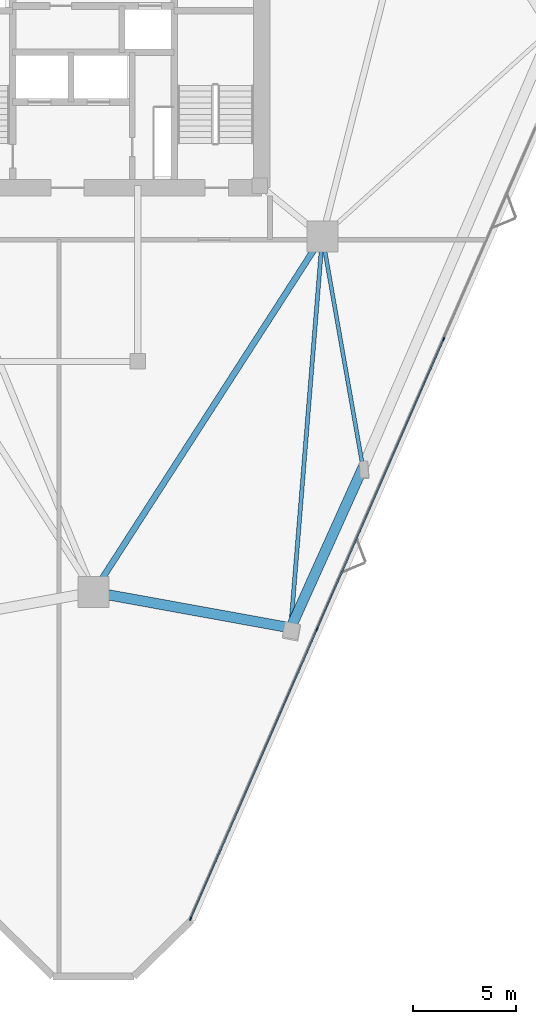
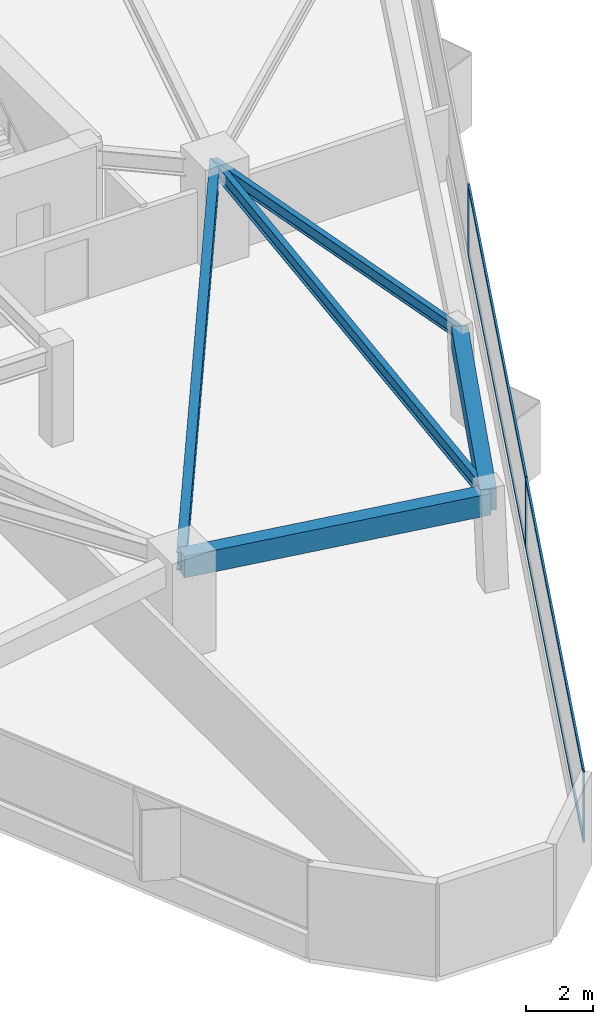
# One storey, part 3 of 15: 7 members, 5 beams, 1 element without a shape of its own.
"""IFC4 building model written with IfcOpenShell, lengths in metres."""

from ifc_helpers import new_model, si_unit, direction, frame, origin, origin_2d, place, context, subcontext, project, spatial, rectangle, i_section, extrude, material, layer, layer_set, material_profile, profile_set, type_object, element, aggregate, save


model = new_model("IFC4")

# Units and contexts
model_context = context("Model", 3, precision=1e-05, world=origin(), true_north=direction((0.0, 1.0)))
body_context = subcontext(model_context, "Body", "Model", "MODEL_VIEW")
ifc_project = project(units=[si_unit("LENGTHUNIT", "METRE"), si_unit("AREAUNIT", "SQUARE_METRE"), si_unit("VOLUMEUNIT", "CUBIC_METRE"), si_unit("PLANEANGLEUNIT", "RADIAN"), si_unit("MASSUNIT", "GRAM", prefix="KILO")], contexts=[model_context])

# Site, building, storey
site_placement = place(None, origin())
site = spatial("IfcSite", under=ifc_project, at=site_placement, CompositionType="ELEMENT")
building_placement = place(site_placement, origin())
building = spatial("IfcBuilding", under=site, at=building_placement, Name="Talyreon Biosciences Tower", CompositionType="ELEMENT")
storey_placement = place(building_placement, frame((0.0, 0.0, 127.199951171875)))
storey = spatial("IfcBuildingStorey", under=building, at=storey_placement, Name="L33", CompositionType="ELEMENT", Elevation=127.199951171875)

# Curtain wall, members
ifc_material_1 = material(Name="Thermally broken aluminium and low-E glazing", Category="aluminium")
ifc_layer = layer(ifc_material_1, 0.18505859375)
ifc_layer_set = layer_set([ifc_layer], Name="Thermally broken aluminium and low-E glazing")
curtain_wall_type = type_object("IfcCurtainWallType", Name="CurtainWall_Zone3Bioprocess", PredefinedType="NOTDEFINED", material=ifc_layer_set)
curtain_wall_placement = place(storey_placement, origin())
curtain_wall = element("IfcCurtainWall", 1, at=curtain_wall_placement, inside=storey, type_object=curtain_wall_type, Name="L33 Unitised Curtain Wall FCW-L33-08", PredefinedType="NOTDEFINED")
ifc_material_2 = material(Name="Anodised thermally broken aluminium", Category="aluminium")
ifc_material_profile_1 = material_profile(ifc_material_2, rectangle(XDim=0.06494140625, YDim=0.179931640625, at=origin_2d()), Name="ALUM MULLION 65x180")
ifc_profile_set_1 = profile_set([ifc_material_profile_1], Name="Anodised thermally broken aluminium")
member_type_1 = type_object("IfcMemberType", Name="CWMullion_65x180", PredefinedType="MULLION", material=ifc_profile_set_1)
member_1_placement = place(storey_placement, frame((82.953857421875, 53.914794921875, 0.81005859375), z_axis=(0.0, 0.0, 1.0), x_axis=(0.916489607057, -0.400058495919, 0.0)))
member_1 = element("IfcMember", 2, at=member_1_placement, type_object=member_type_1, Name="CW4 mullion 3", PredefinedType="MULLION", context=body_context, shape_type="SweptSolid", body=[
    extrude(rectangle(XDim=0.06494140625, YDim=0.179931640625, at=origin_2d()), origin(), (0.0, 0.0, 1.0), 2.56494140625),
])
member_2_placement = place(storey_placement, frame((76.8232421875, 39.869873046875, 0.81005859375), z_axis=(0.0, 0.0, 1.0), x_axis=(0.916489607057, -0.400058495919, 0.0)))
member_2 = element("IfcMember", 3, at=member_2_placement, type_object=member_type_1, Name="CW4 mullion 4", PredefinedType="MULLION", context=body_context, shape_type="SweptSolid", body=[
    extrude(rectangle(XDim=0.06494140625, YDim=0.179931640625, at=origin_2d()), origin(), (0.0, 0.0, 1.0), 2.56494140625),
])
member_3_placement = place(storey_placement, frame((70.705322265625, 25.854736328125, 0.81005859375), z_axis=(0.0, 0.0, 1.0), x_axis=(0.916489607057, -0.400058495919, 0.0)))
member_3 = element("IfcMember", 4, at=member_3_placement, type_object=member_type_1, Name="CW4 mullion 5", PredefinedType="MULLION", context=body_context, shape_type="SweptSolid", body=[
    extrude(rectangle(XDim=0.06494140625, YDim=0.179931640625, at=origin_2d()), origin(), (0.0, 0.0, 1.0), 2.56494140625),
])
ifc_material_profile_2 = material_profile(ifc_material_2, rectangle(XDim=0.06494140625, YDim=0.139892578125, at=origin_2d()), Name="ALUM TRANSOM 65x140")
ifc_profile_set_2 = profile_set([ifc_material_profile_2], Name="Anodised thermally broken aluminium")
member_type_2 = type_object("IfcMemberType", Name="CWTransom_65x140", PredefinedType="USERDEFINED", material=ifc_profile_set_2)
member_4_placement = place(storey_placement, frame((82.94091796875, 53.885009765625, 0.842529296875), z_axis=(-0.400056615307, -0.916490427964, 0.0), x_axis=(0.916490427964, -0.400056615307, 0.0)))
member_4 = element("IfcMember", 5, at=member_4_placement, type_object=member_type_2, Name="CW4 transom 3.1", ObjectType="TRANSOM", PredefinedType="USERDEFINED", context=body_context, shape_type="SweptSolid", body=[
    extrude(rectangle(XDim=0.06494140625, YDim=0.139892578125, at=origin_2d()), origin(), (0.0, 0.0, 1.0), 15.259765625),
])
member_5_placement = place(storey_placement, frame((82.94091796875, 53.885009765625, 3.342529296875), z_axis=(-0.400056615307, -0.916490427964, 0.0), x_axis=(0.916490427964, -0.400056615307, 0.0)))
member_5 = element("IfcMember", 6, at=member_5_placement, type_object=member_type_2, Name="CW4 transom 3.2", ObjectType="TRANSOM", PredefinedType="USERDEFINED", context=body_context, shape_type="SweptSolid", body=[
    extrude(rectangle(XDim=0.06494140625, YDim=0.139892578125, at=origin_2d()), origin(), (0.0, 0.0, 1.0), 15.259765625),
])
member_6_placement = place(storey_placement, frame((76.81005859375, 39.840087890625, 0.842529296875), z_axis=(-0.400046570574, -0.916494812518, 0.0), x_axis=(0.916494812518, -0.400046570574, 0.0)))
member_6 = element("IfcMember", 7, at=member_6_placement, type_object=member_type_2, Name="CW4 transom 4.1", ObjectType="TRANSOM", PredefinedType="USERDEFINED", context=body_context, shape_type="SweptSolid", body=[
    extrude(rectangle(XDim=0.06494140625, YDim=0.139892578125, at=origin_2d()), origin(), (0.0, 0.0, 1.0), 15.22705078125),
])
member_7_placement = place(storey_placement, frame((76.81005859375, 39.840087890625, 3.342529296875), z_axis=(-0.400046570574, -0.916494812518, 0.0), x_axis=(0.916494812518, -0.400046570574, 0.0)))
member_7 = element("IfcMember", 8, at=member_7_placement, type_object=member_type_2, Name="CW4 transom 4.2", ObjectType="TRANSOM", PredefinedType="USERDEFINED", context=body_context, shape_type="SweptSolid", body=[
    extrude(rectangle(XDim=0.06494140625, YDim=0.139892578125, at=origin_2d()), origin(), (0.0, 0.0, 1.0), 15.22705078125),
])
aggregate(curtain_wall, [member_1, member_2, member_3, member_4, member_5, member_6, member_7])

# Beams
ifc_material_3 = material(Name="Precast concrete C45/55", Category="concrete")
ifc_material_profile_3 = material_profile(ifc_material_3, rectangle(XDim=0.5, YDim=0.780029296875, at=origin_2d()), Name="RCB 500x780")
ifc_profile_set_3 = profile_set([ifc_material_profile_3], Name="Precast concrete C45/55")
beam_type_1 = type_object("IfcBeamType", Name="ExpressedSpandrel_500x780", PredefinedType="SPANDREL", material=ifc_profile_set_3)
beam_1_placement = place(storey_placement, frame((66.0, 41.6669921875, 2.985107421875), z_axis=(0.983957509541, -0.178402969194, 0.0), x_axis=(0.178402969194, 0.983957509541, 0.0)))
element("IfcBeam", 9, at=beam_1_placement, inside=storey, type_object=beam_type_1, Name="L33 Expressed Horizontal Concrete Spandrel 01", PredefinedType="SPANDREL", context=body_context, shape_type="SweptSolid", body=[
    extrude(rectangle(XDim=0.5, YDim=0.780029296875, at=origin_2d()), origin(), (0.0, 0.0, 1.0), 9.7080078125),
])
beam_2_placement = place(storey_placement, frame((75.55224609375, 39.93505859375, 2.985107421875), z_axis=(0.410734098338, 0.911755175725, 0.0), x_axis=(-0.911755175725, 0.410734098338, 0.0)))
element("IfcBeam", 10, at=beam_2_placement, inside=storey, type_object=beam_type_1, Name="L33 Expressed Horizontal Concrete Spandrel 02", PredefinedType="SPANDREL", context=body_context, shape_type="SweptSolid", body=[
    extrude(rectangle(XDim=0.5, YDim=0.780029296875, at=origin_2d()), origin(), (0.0, 0.0, 1.0), 8.517822265625),
])
ifc_material_4 = material(Name="Steel SM355", Category="steel")
ifc_material_profile_4 = material_profile(ifc_material_4, i_section(OverallWidth=0.300048828125, OverallDepth=0.64990234375, WebThickness=0.01611328125, FlangeThickness=0.031005859375, FilletRadius=0.027099609375, at=origin_2d()), Name="HE650B")
ifc_profile_set_4 = profile_set([ifc_material_profile_4], Name="Steel SM355")
beam_type_2 = type_object("IfcBeamType", Name="SteelBeam_HE650B", PredefinedType="BEAM", material=ifc_profile_set_4)
beam_3_placement = place(storey_placement, frame((66.0, 41.6669921875, 3.050048828125), z_axis=(0.541463723609, 0.840724114092, 0.0), x_axis=(-0.840724114092, 0.541463723609, 0.0)))
element("IfcBeam", 11, at=beam_3_placement, inside=storey, type_object=beam_type_2, Name="L33 Mega-Ring Girder 1", PredefinedType="BEAM", context=body_context, shape_type="SweptSolid", body=[
    extrude(i_section(OverallWidth=0.300048828125, OverallDepth=0.64990234375, WebThickness=0.01611328125, FlangeThickness=0.031005859375, FilletRadius=0.027099609375, at=origin_2d()), origin(), (0.0, 0.0, 1.0), 20.474365234375),
])
ifc_material_profile_5 = material_profile(ifc_material_4, i_section(OverallWidth=0.18994140625, OverallDepth=0.449951171875, WebThickness=0.009521484375, FlangeThickness=0.0146484375, FilletRadius=0.02099609375, at=origin_2d()), Name="IPE450")
ifc_profile_set_5 = profile_set([ifc_material_profile_5], Name="Steel SM355")
beam_type_3 = type_object("IfcBeamType", Name="SteelJoist_IPE450", PredefinedType="JOIST", material=ifc_profile_set_5)
beam_4_placement = place(storey_placement, frame((77.086181640625, 58.88037109375, 3.150146484375), z_axis=(0.173084652512, -0.984906951476, 0.0), x_axis=(0.984906951476, 0.173084652512, 0.0)))
element("IfcBeam", 12, at=beam_4_placement, inside=storey, type_object=beam_type_3, Name="L33 Radial Composite Floor Joist PL-SE", PredefinedType="JOIST", context=body_context, shape_type="SweptSolid", body=[
    extrude(i_section(OverallWidth=0.18994140625, OverallDepth=0.449951171875, WebThickness=0.009521484375, FlangeThickness=0.0146484375, FilletRadius=0.02099609375, at=origin_2d()), origin(), (0.0, 0.0, 1.0), 11.3505859375),
])
ifc_material_profile_6 = material_profile(ifc_material_4, i_section(OverallWidth=0.199951171875, OverallDepth=0.5, WebThickness=0.01025390625, FlangeThickness=0.01611328125, FilletRadius=0.02099609375, at=origin_2d()), Name="IPE500")
ifc_profile_set_6 = profile_set([ifc_material_profile_6], Name="Steel SM355")
beam_type_4 = type_object("IfcBeamType", Name="SteelJoist_IPE500", PredefinedType="JOIST", material=ifc_profile_set_6)
beam_5_placement = place(storey_placement, frame((77.086181640625, 58.88037109375, 3.125), z_axis=(-0.080702401704, -0.996738241646, 0.0), x_axis=(0.996738241646, -0.080702401704, 0.0)))
element("IfcBeam", 13, at=beam_5_placement, inside=storey, type_object=beam_type_4, Name="L33 Radial Composite Floor Joist PC-SE1", PredefinedType="JOIST", context=body_context, shape_type="SweptSolid", body=[
    extrude(i_section(OverallWidth=0.199951171875, OverallDepth=0.5, WebThickness=0.01025390625, FlangeThickness=0.01611328125, FilletRadius=0.02099609375, at=origin_2d()), origin(), (0.0, 0.0, 1.0), 19.00732421875),
])

save(model, "model.ifc")
